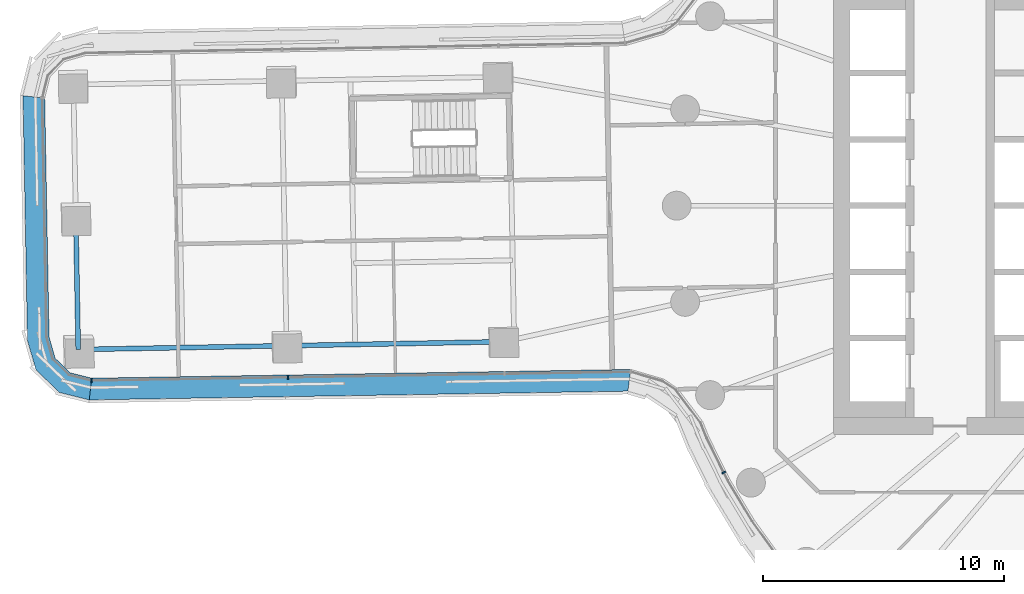
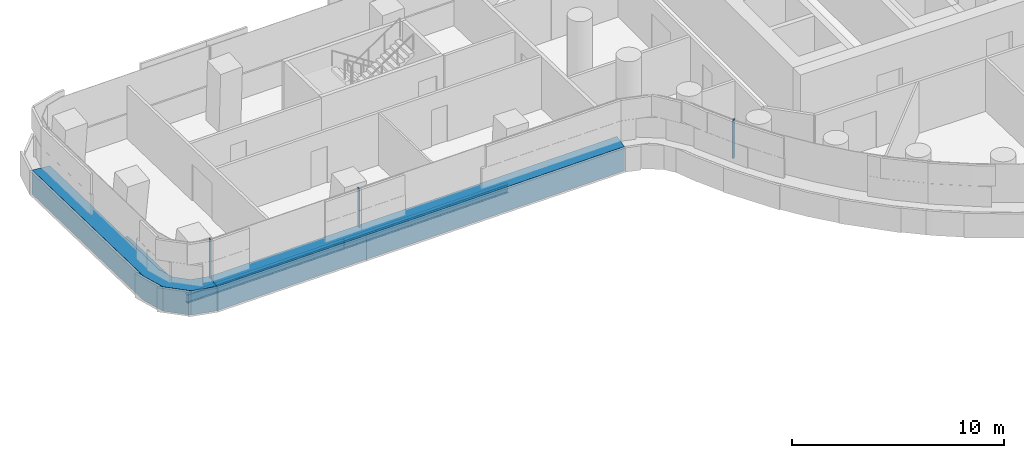
# One storey, part 4 of 31: 5 members, 3 beams, 3 elements without a shape of their own.
"""IFC4 building model written with IfcOpenShell, lengths in metres."""

from ifc_helpers import new_model, si_unit, direction, frame, origin, origin_2d, place, context, subcontext, project, spatial, polyline, rectangle, i_section, outline, extrude, material, layer, layer_set, material_profile, profile_set, type_object, element, aggregate, save


model = new_model("IFC4")

# Units and contexts
model_context = context("Model", 3, precision=1e-05, world=origin(), true_north=direction((0.0, 1.0)))
body_context = subcontext(model_context, "Body", "Model", "MODEL_VIEW")
ifc_project = project(units=[si_unit("LENGTHUNIT", "METRE"), si_unit("AREAUNIT", "SQUARE_METRE"), si_unit("VOLUMEUNIT", "CUBIC_METRE"), si_unit("PLANEANGLEUNIT", "RADIAN"), si_unit("MASSUNIT", "GRAM", prefix="KILO")], contexts=[model_context])

# Site, building, storey
site_placement = place(None, origin())
site = spatial("IfcSite", under=ifc_project, at=site_placement, CompositionType="ELEMENT")
building_placement = place(site_placement, origin())
building = spatial("IfcBuilding", under=site, at=building_placement, Name="Tamarind Cross Interchange Tower", CompositionType="ELEMENT")
storey_placement = place(building_placement, frame((0.0, 0.0, 37.75)))
storey = spatial("IfcBuildingStorey", under=building, at=storey_placement, Name="L07", CompositionType="ELEMENT", Elevation=37.75)

# Beams
ifc_material_1 = material(Name="Steel Q355B", Category="steel")
ifc_material_profile_1 = material_profile(ifc_material_1, i_section(OverallWidth=0.198974609375, OverallDepth=0.49609375, WebThickness=0.009033203125, FlangeThickness=0.013916015625, FilletRadius=0.012939453125, at=origin_2d()), Name="HN 496x199x9x14")
ifc_profile_set_1 = profile_set([ifc_material_profile_1], Name="Steel Q355B")
beam_type_1 = type_object("IfcBeamType", Name="Composite beam HN 496x199x9x14 Q355B", PredefinedType="BEAM", material=ifc_profile_set_1)
beam_1_placement = place(storey_placement, frame((-47.84814453125, -5.972412109375, -0.387939453125), z_axis=(0.99983335948, 0.01825522586, 0.0), x_axis=(-0.01825522586, 0.99983335948, 0.0)))
element("IfcBeam", 1, at=beam_1_placement, inside=storey, type_object=beam_type_1, Name="Beam W-edgeep2", PredefinedType="BEAM", context=body_context, shape_type="SweptSolid", body=[
    extrude(i_section(OverallWidth=0.198974609375, OverallDepth=0.49609375, WebThickness=0.009033203125, FlangeThickness=0.013916015625, FilletRadius=0.012939453125, at=origin_2d()), origin(), (0.0, 0.0, 1.0), 8.65283203125),
])
beam_2_placement = place(storey_placement, frame((-39.19677734375, -5.814453125, -0.387939453125), z_axis=(0.999833836067, 0.018229104613, 0.0), x_axis=(-0.018229104613, 0.999833836067, 0.0)))
element("IfcBeam", 2, at=beam_2_placement, inside=storey, type_object=beam_type_1, Name="Beam W-edgeep3", PredefinedType="BEAM", context=body_context, shape_type="SweptSolid", body=[
    extrude(i_section(OverallWidth=0.198974609375, OverallDepth=0.49609375, WebThickness=0.009033203125, FlangeThickness=0.013916015625, FilletRadius=0.012939453125, at=origin_2d()), origin(), (0.0, 0.0, 1.0), 9.0),
])
ifc_material_profile_2 = material_profile(ifc_material_1, i_section(OverallWidth=0.199951171875, OverallDepth=0.60009765625, WebThickness=0.010986328125, FlangeThickness=0.01708984375, FilletRadius=0.012939453125, at=origin_2d()), Name="HN 600x200x11x17")
ifc_profile_set_2 = profile_set([ifc_material_profile_2], Name="Steel Q355B")
beam_type_2 = type_object("IfcBeamType", Name="Composite beam HN 600x200x11x17 Q355B", PredefinedType="BEAM", material=ifc_profile_set_2)
beam_3_placement = place(storey_placement, frame((-47.948486328125, -0.47314453125, -0.43994140625), z_axis=(0.018243356261, -0.999833576128, 0.0), x_axis=(0.999833576128, 0.018243356261, 0.0)))
element("IfcBeam", 3, at=beam_3_placement, inside=storey, type_object=beam_type_2, Name="Beam W-tip1", PredefinedType="BEAM", context=body_context, shape_type="SweptSolid", body=[
    extrude(i_section(OverallWidth=0.199951171875, OverallDepth=0.60009765625, WebThickness=0.010986328125, FlangeThickness=0.01708984375, FilletRadius=0.012939453125, at=origin_2d()), origin(), (0.0, 0.0, 1.0), 5.500244140625),
])

# Curtain wall, member
ifc_material_2 = material(Name="Aluminium 6063-T6", Category="aluminium")
ifc_layer = layer(ifc_material_2, 0.159912109375)
ifc_layer_set = layer_set([ifc_layer], Name="Aluminium 6063-T6")
curtain_wall_type = type_object("IfcCurtainWallType", Name="Office curtain wall, 9.0 m bays", PredefinedType="NOTDEFINED", material=ifc_layer_set)
curtain_wall_1_placement = place(storey_placement, origin())
curtain_wall_1 = element("IfcCurtainWall", 4, at=curtain_wall_1_placement, inside=storey, type_object=curtain_wall_type, Name="CWS-L07-04", PredefinedType="NOTDEFINED")
ifc_material_3 = material(Name="Aluminium and insulated spandrel panel", Category="aluminium")
member_type_1 = type_object("IfcMemberType", Name="Floor-edge blade transom", PredefinedType="USERDEFINED", material=ifc_material_3)
member_1_placement = place(storey_placement, origin())
member_1 = element("IfcMember", 5, at=member_1_placement, type_object=member_type_1, Name="CWT-L07-04", ObjectType="TRANSOM", PredefinedType="USERDEFINED", context=body_context, shape_type="SweptSolid", body=[
    extrude(outline(polyline([(-49.23876953125, 4.464599609375), (-49.057861328125, -5.454833984375), (-48.804931640625, -6.33447265625), (-48.17529296875, -6.94140625), (-47.28662109375, -7.162353515625), (-47.3896484375, -8.064208984375), (-48.62646484375, -7.7568359375), (-49.603271484375, -6.81494140625), (-49.95556640625, -5.589599609375), (-50.140869140625, 4.566650390625), (-49.23876953125, 4.464599609375)])), origin(), (0.0, 0.0, 1.0), 1.39990234375),
])
aggregate(curtain_wall_1, [member_1])

# Curtain wall, members
curtain_wall_2_placement = place(storey_placement, origin())
curtain_wall_2 = element("IfcCurtainWall", 6, at=curtain_wall_2_placement, inside=storey, type_object=curtain_wall_type, Name="CWS-L07-05", PredefinedType="NOTDEFINED")
member_2_placement = place(storey_placement, origin())
member_2 = element("IfcMember", 7, at=member_2_placement, type_object=member_type_1, Name="CWT-L07-05", ObjectType="TRANSOM", PredefinedType="USERDEFINED", context=body_context, shape_type="SweptSolid", body=[
    extrude(outline(polyline([(-47.28662109375, -7.162353515625), (-24.904052734375, -6.7998046875), (-25.026611328125, -7.701904296875), (-47.3896484375, -8.064208984375), (-47.28662109375, -7.162353515625)])), origin(), (0.0, 0.0, 1.0), 1.39990234375),
])
ifc_material_profile_3 = material_profile(ifc_material_2, rectangle(XDim=0.06005859375, YDim=0.159912109375, at=origin_2d()), Name="Mullion CW1")
ifc_profile_set_3 = profile_set([ifc_material_profile_3], Name="Aluminium 6063-T6")
member_type_2 = type_object("IfcMemberType", Name="Mullion CW1", PredefinedType="MULLION", material=ifc_profile_set_3)
member_3_placement = place(storey_placement, frame((-47.298095703125, -7.262451171875, 1.39990234375), z_axis=(0.0, 0.0, 1.0), x_axis=(0.993544853916, -0.113439954409, 0.0)))
member_3 = element("IfcMember", 8, at=member_3_placement, type_object=member_type_2, Name="CWM-L07-05-00", PredefinedType="MULLION", context=body_context, shape_type="SweptSolid", body=[
    extrude(rectangle(XDim=0.06005859375, YDim=0.159912109375, at=origin_2d()), origin(), (0.0, 0.0, 1.0), 2.210205078125),
])
member_4_placement = place(storey_placement, frame((-39.144775390625, -7.130615234375, 1.39990234375), z_axis=(0.0, 0.0, 1.0), x_axis=(0.999868866543, 0.016194126045, 0.0)))
member_4 = element("IfcMember", 9, at=member_4_placement, type_object=member_type_2, Name="CWM-L07-05-01", PredefinedType="MULLION", context=body_context, shape_type="SweptSolid", body=[
    extrude(rectangle(XDim=0.06005859375, YDim=0.159912109375, at=origin_2d()), origin(), (0.0, 0.0, 1.0), 2.210205078125),
])
aggregate(curtain_wall_2, [member_3, member_4, member_2])

# Curtain wall, member
curtain_wall_3_placement = place(storey_placement, origin())
curtain_wall_3 = element("IfcCurtainWall", 10, at=curtain_wall_3_placement, inside=storey, type_object=curtain_wall_type, Name="CWS-L07-06", PredefinedType="NOTDEFINED")
member_5_placement = place(storey_placement, frame((-21.045166015625, -11.078857421875, 1.39990234375), z_axis=(0.0, 0.0, 1.0), x_axis=(0.443058811505, -0.896492548518, 0.0)))
member_5 = element("IfcMember", 11, at=member_5_placement, type_object=member_type_2, Name="CWM-L07-06-01", PredefinedType="MULLION", context=body_context, shape_type="SweptSolid", body=[
    extrude(rectangle(XDim=0.06005859375, YDim=0.159912109375, at=origin_2d()), origin(), (0.0, 0.0, 1.0), 2.210205078125),
])
aggregate(curtain_wall_3, [member_5])

save(model, "model.ifc")
